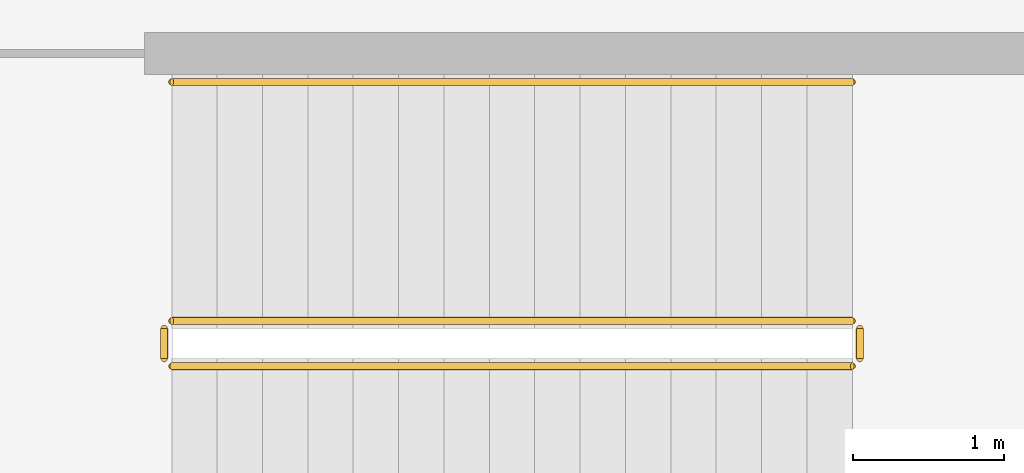
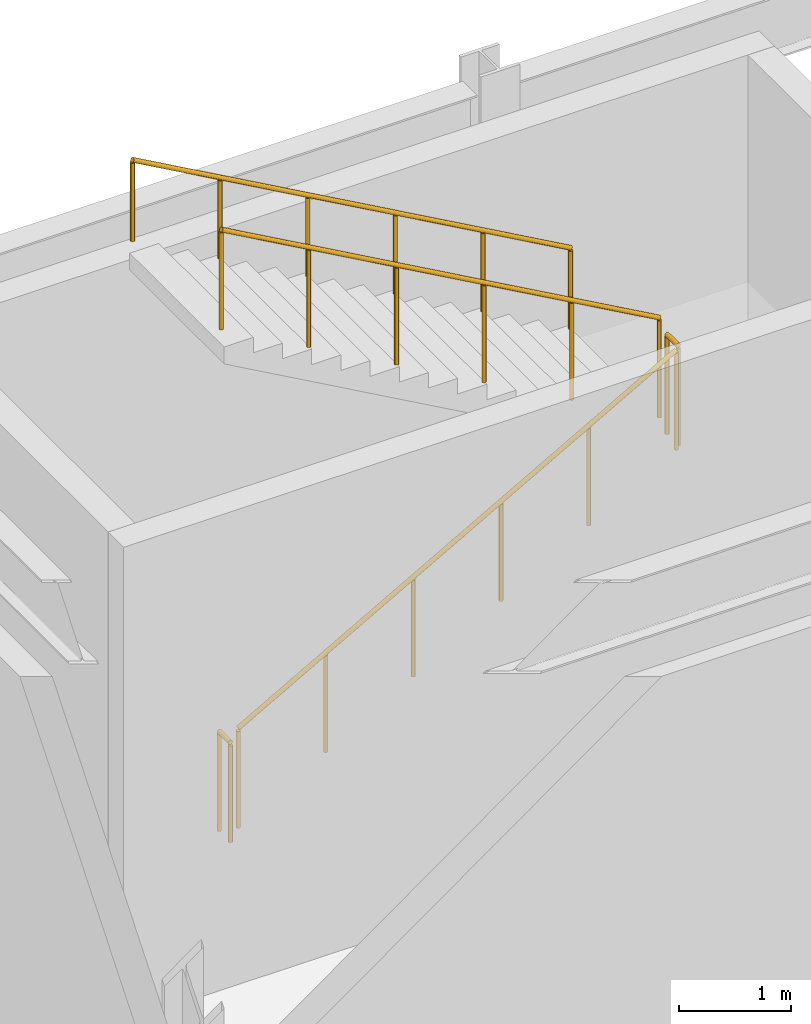
# One storey, part 95 of 104: 5 railings.
"""IFC4 building model written with IfcOpenShell, lengths in metres."""

from ifc_helpers import new_model, si_unit, direction, frame, origin, origin_2d, place, context, subcontext, project, spatial, circle, extrude, material, layer, layer_set, type_object, element, save


model = new_model("IFC4")

# Units and contexts
model_context = context("Model", 3, precision=1e-05, world=origin(), true_north=direction((0.0, 1.0)))
body_context = subcontext(model_context, "Body", "Model", "MODEL_VIEW")
ifc_project = project(units=[si_unit("LENGTHUNIT", "METRE"), si_unit("AREAUNIT", "SQUARE_METRE"), si_unit("VOLUMEUNIT", "CUBIC_METRE"), si_unit("PLANEANGLEUNIT", "RADIAN"), si_unit("MASSUNIT", "GRAM", prefix="KILO")], contexts=[model_context])

# Site, building, storey
site_placement = place(None, origin())
site = spatial("IfcSite", under=ifc_project, at=site_placement, CompositionType="ELEMENT")
building_placement = place(site_placement, origin())
building = spatial("IfcBuilding", under=site, at=building_placement, Name="Vaelcorin Mobility Hub", CompositionType="ELEMENT")
storey_placement = place(building_placement, origin())
storey = spatial("IfcBuildingStorey", under=building, at=storey_placement, Name="L00", CompositionType="ELEMENT", Elevation=0.0)

# Railings
ifc_material = material(Name="Brushed stainless steel 316L", Category="steel")
ifc_layer_1 = layer(ifc_material, 0.048095703125)
ifc_layer_set_1 = layer_set([ifc_layer_1], Name="Brushed stainless steel 316L")
railing_type_1 = type_object("IfcRailingType", Name="RL-STAIR-GRD", PredefinedType="GUARDRAIL", material=ifc_layer_set_1)
railing_1_placement = place(storey_placement, frame((103.85009765625, 117.280029296875, 0.168701171875)))
element("IfcRailing", 1, at=railing_1_placement, inside=storey, type_object=railing_type_1, Name="L00 ST4 stair guard 1", PredefinedType="GUARDRAIL", context=body_context, shape_type="SweptSolid", body=[
    extrude(circle(Radius=0.02392578125, at=origin_2d()), frame((0.0, 0.0, 1.076171875), z_axis=(0.871575537125, 0.0, 0.490261239633), x_axis=(0.0, 1.0, 0.0)), (0.0, 0.0, 1.0), 5.1630859375),
    extrude(circle(Radius=0.02099609375, at=origin_2d()), origin(), (0.0, 0.0, 1.0), 1.052001953125),
    extrude(circle(Radius=0.02099609375, at=origin_2d()), frame((0.89990234375, 0.0, 0.50634765625)), (0.0, 0.0, 1.0), 1.052001953125),
    extrude(circle(Radius=0.02099609375, at=origin_2d()), frame((1.800048828125, 0.0, 1.012451171875)), (0.0, 0.0, 1.0), 1.052001953125),
    extrude(circle(Radius=0.02099609375, at=origin_2d()), frame((2.699951171875, 0.0, 1.518798828125)), (0.0, 0.0, 1.0), 1.052001953125),
    extrude(circle(Radius=0.02099609375, at=origin_2d()), frame((3.60009765625, 0.0, 2.02490234375)), (0.0, 0.0, 1.0), 1.052001953125),
    extrude(circle(Radius=0.02099609375, at=origin_2d()), frame((4.5, 0.0, 2.53125)), (0.0, 0.0, 1.0), 1.052001953125),
])
railing_2_placement = place(storey_placement, frame((108.39990234375, 117.330078125, 2.699951171875)))
element("IfcRailing", 2, at=railing_2_placement, inside=storey, type_object=railing_type_1, Name="L00 ST4 stair guard 2", PredefinedType="GUARDRAIL", context=body_context, shape_type="SweptSolid", body=[
    extrude(circle(Radius=0.02392578125, at=origin_2d()), frame((0.0, 0.0, 1.076171875), z_axis=(0.0, 1.0, 0.0), x_axis=(-1.0, 0.0, 0.0)), (0.0, 0.0, 1.0), 0.199951171875),
    extrude(circle(Radius=0.02099609375, at=origin_2d()), origin(), (0.0, 0.0, 1.0), 1.052001953125),
    extrude(circle(Radius=0.02099609375, at=origin_2d()), frame((0.0, 0.199951171875, 0.0)), (0.0, 0.0, 1.0), 1.052001953125),
])
railing_3_placement = place(storey_placement, frame((108.35009765625, 117.580078125, 2.86865234375)))
element("IfcRailing", 3, at=railing_3_placement, inside=storey, type_object=railing_type_1, Name="L00 ST4 stair guard 3", PredefinedType="GUARDRAIL", context=body_context, shape_type="SweptSolid", body=[
    extrude(circle(Radius=0.02392578125, at=origin_2d()), frame((0.0, 0.0, 1.076171875), z_axis=(-0.871575537125, 0.0, 0.490261239633), x_axis=(0.0, -1.0, 0.0)), (0.0, 0.0, 1.0), 5.1630859375),
    extrude(circle(Radius=0.02099609375, at=origin_2d()), origin(), (0.0, 0.0, 1.0), 1.052001953125),
    extrude(circle(Radius=0.02099609375, at=origin_2d()), frame((-0.89990234375, 0.0, 0.50634765625)), (0.0, 0.0, 1.0), 1.052001953125),
    extrude(circle(Radius=0.02099609375, at=origin_2d()), frame((-1.800048828125, 0.0, 1.012451171875)), (0.0, 0.0, 1.0), 1.052001953125),
    extrude(circle(Radius=0.02099609375, at=origin_2d()), frame((-2.699951171875, 0.0, 1.518798828125)), (0.0, 0.0, 1.0), 1.052001953125),
    extrude(circle(Radius=0.02099609375, at=origin_2d()), frame((-3.60009765625, 0.0, 2.02490234375)), (0.0, 0.0, 1.0), 1.052001953125),
    extrude(circle(Radius=0.02099609375, at=origin_2d()), frame((-4.5, 0.0, 2.53125)), (0.0, 0.0, 1.0), 1.052001953125),
])
railing_4_placement = place(storey_placement, frame((103.800048828125, 117.330078125, 0.0)))
element("IfcRailing", 4, at=railing_4_placement, inside=storey, type_object=railing_type_1, Name="L00 ST4 stair guard 4", PredefinedType="GUARDRAIL", context=body_context, shape_type="SweptSolid", body=[
    extrude(circle(Radius=0.02392578125, at=origin_2d()), frame((0.0, 0.0, 1.076171875), z_axis=(0.0, 1.0, 0.0), x_axis=(-1.0, 0.0, 0.0)), (0.0, 0.0, 1.0), 0.199951171875),
    extrude(circle(Radius=0.02099609375, at=origin_2d()), origin(), (0.0, 0.0, 1.0), 1.052001953125),
    extrude(circle(Radius=0.02099609375, at=origin_2d()), frame((0.0, 0.199951171875, 0.0)), (0.0, 0.0, 1.0), 1.052001953125),
])
ifc_layer_2 = layer(ifc_material, 0.048095703125)
ifc_layer_set_2 = layer_set([ifc_layer_2], Name="Brushed stainless steel 316L")
railing_type_2 = type_object("IfcRailingType", Name="RL-STAIR-HR", PredefinedType="HANDRAIL", material=ifc_layer_set_2)
railing_5_placement = place(storey_placement, frame((108.35009765625, 119.159912109375, 2.86865234375)))
element("IfcRailing", 5, at=railing_5_placement, inside=storey, type_object=railing_type_2, Name="L00 ST4 stair handrail 2", PredefinedType="HANDRAIL", context=body_context, shape_type="SweptSolid", body=[
    extrude(circle(Radius=0.02392578125, at=origin_2d()), frame((0.0, 0.0, 0.8759765625), z_axis=(-0.871575537125, 0.0, 0.490261239633), x_axis=(0.0, -1.0, 0.0)), (0.0, 0.0, 1.0), 5.1630859375),
    extrude(circle(Radius=0.02099609375, at=origin_2d()), origin(), (0.0, 0.0, 1.0), 0.851806640625),
    extrude(circle(Radius=0.02099609375, at=origin_2d()), frame((-0.89990234375, 0.0, 0.50634765625)), (0.0, 0.0, 1.0), 0.851806640625),
    extrude(circle(Radius=0.02099609375, at=origin_2d()), frame((-1.800048828125, 0.0, 1.012451171875)), (0.0, 0.0, 1.0), 0.851806640625),
    extrude(circle(Radius=0.02099609375, at=origin_2d()), frame((-2.699951171875, 0.0, 1.518798828125)), (0.0, 0.0, 1.0), 0.851806640625),
    extrude(circle(Radius=0.02099609375, at=origin_2d()), frame((-3.60009765625, 0.0, 2.02490234375)), (0.0, 0.0, 1.0), 0.851806640625),
    extrude(circle(Radius=0.02099609375, at=origin_2d()), frame((-4.5, 0.0, 2.53125)), (0.0, 0.0, 1.0), 0.851806640625),
])

save(model, "model.ifc")
